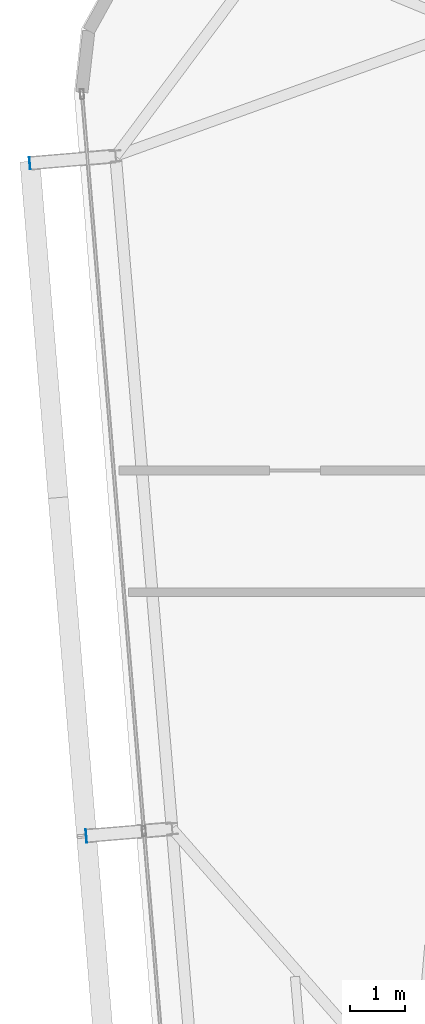
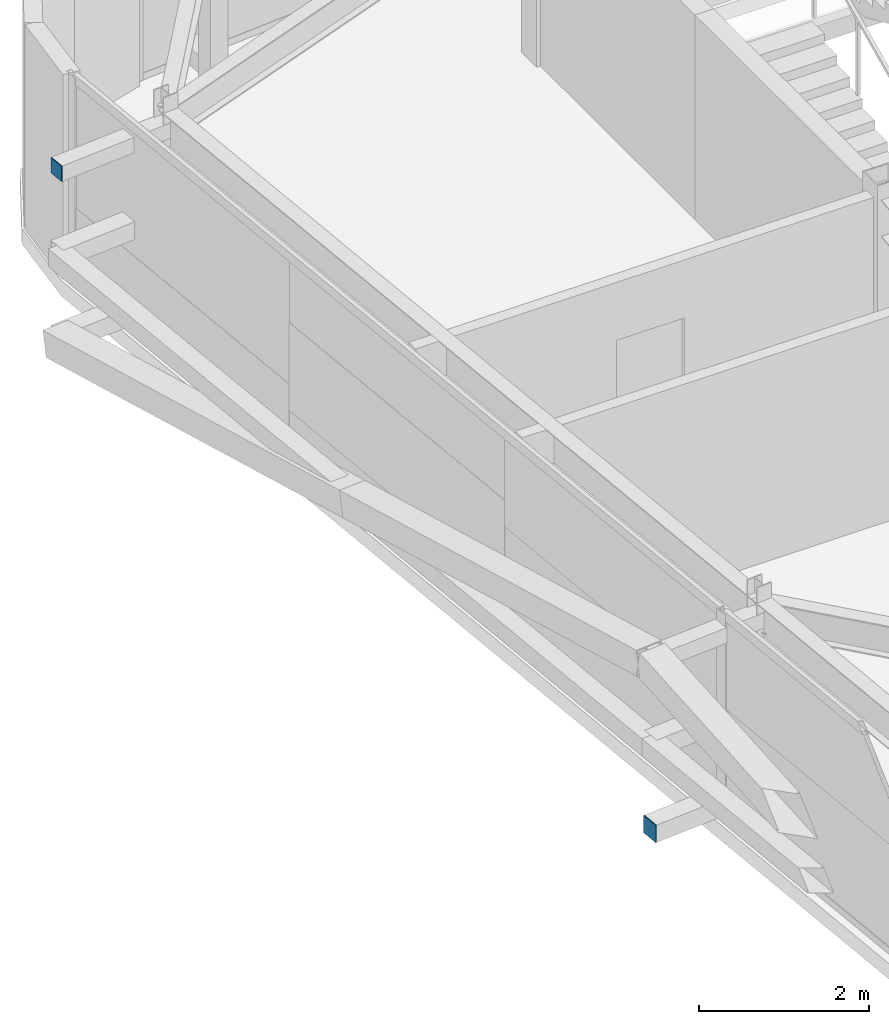
# One storey, part 29 of 39: 2 plates.
"""IFC4 building model written with IfcOpenShell, lengths in metres."""

from ifc_helpers import new_model, si_unit, direction, frame, origin, origin_2d, place, context, subcontext, project, spatial, rectangle, extrude, source, transform, mapped, material, layer, layer_set, type_object, element, save


model = new_model("IFC4")

# Units and contexts
model_context = context("Model", 3, precision=1e-05, world=origin(), true_north=direction((0.0, 1.0)))
body_context = subcontext(model_context, "Body", "Model", "MODEL_VIEW")
ifc_project = project(units=[si_unit("LENGTHUNIT", "METRE"), si_unit("AREAUNIT", "SQUARE_METRE"), si_unit("VOLUMEUNIT", "CUBIC_METRE"), si_unit("PLANEANGLEUNIT", "RADIAN"), si_unit("MASSUNIT", "GRAM", prefix="KILO")], contexts=[model_context])

# Site, building, storey
site_placement = place(None, origin())
site = spatial("IfcSite", under=ifc_project, at=site_placement, CompositionType="ELEMENT")
building_placement = place(site_placement, origin())
building = spatial("IfcBuilding", under=site, at=building_placement, Name="Taldren Reach Tower", CompositionType="ELEMENT")
storey_placement = place(building_placement, frame((0.0, 0.0, 178.85009765625)))
storey = spatial("IfcBuildingStorey", under=building, at=storey_placement, Name="L54", CompositionType="ELEMENT", Elevation=178.85009765625)

# Plates
ifc_material_1 = material(Name="Steel Gr 350 (C350L0)", Category="steel")
ifc_layer_1 = layer(ifc_material_1, 0.011962890625)
ifc_layer_set_1 = layer_set([ifc_layer_1], Name="Steel Gr 350 (C350L0)")
plate_type_1 = type_object("IfcPlateType", Name="PL-CAP-250", PredefinedType="SHEET", material=ifc_layer_set_1)
shared_shape_1 = source(origin(), body_context, "Body", "SweptSolid", [
    extrude(rectangle(XDim=0.011962890625, YDim=0.25, at=origin_2d()), origin(), (0.0, 0.0, 1.0), 0.25),
])
plate_1_placement = place(storey_placement, frame((12.0322265625, 17.39501953125, 0.094970703125), z_axis=(0.0, 0.0, 1.0), x_axis=(0.99649285925, 0.083677843332, 0.0)))
element("IfcPlate", 1, at=plate_1_placement, inside=storey, type_object=plate_type_1, Name="Tie strut end cap plate B4-W2 L54", PredefinedType="SHEET", context=body_context, shape_type="MappedRepresentation", body=[
    mapped(shared_shape_1, transform((0.0, 0.0, 0.0), scale=1.0)),
])
ifc_material_2 = material(Name="Steel Gr 450 (C450L0)", Category="steel")
ifc_layer_2 = layer(ifc_material_2, 0.011962890625)
ifc_layer_set_2 = layer_set([ifc_layer_2], Name="Steel Gr 450 (C450L0)")
plate_type_2 = type_object("IfcPlateType", Name="PL-CAP-220", PredefinedType="SHEET", material=ifc_layer_set_2)
shared_shape_2 = source(origin(), body_context, "Body", "SweptSolid", [
    extrude(rectangle(XDim=0.011962890625, YDim=0.219970703125, at=origin_2d()), origin(), (0.0, 0.0, 1.0), 0.219970703125),
])
plate_2_placement = place(storey_placement, frame((11.011474609375, 29.55224609375, 2.5400390625), z_axis=(0.0, 0.0, 1.0), x_axis=(0.99649285925, 0.083677843332, 0.0)))
element("IfcPlate", 2, at=plate_2_placement, inside=storey, type_object=plate_type_2, Name="Tie strut end cap plate B4-W3 L54", PredefinedType="SHEET", context=body_context, shape_type="MappedRepresentation", body=[
    mapped(shared_shape_2, transform((0.0, 0.0, 0.0), scale=1.0)),
])

save(model, "model.ifc")
